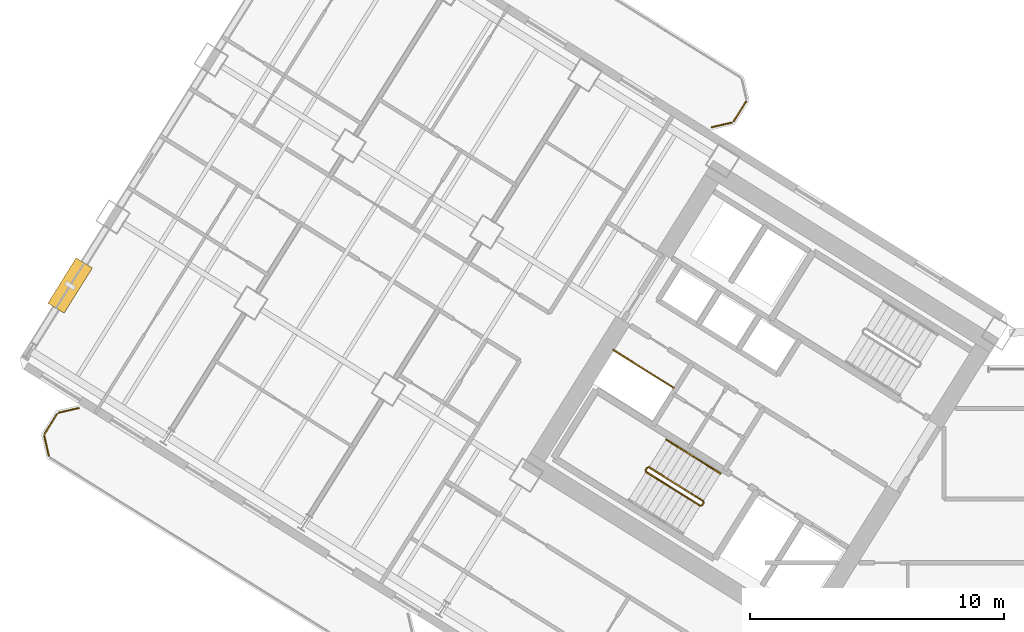
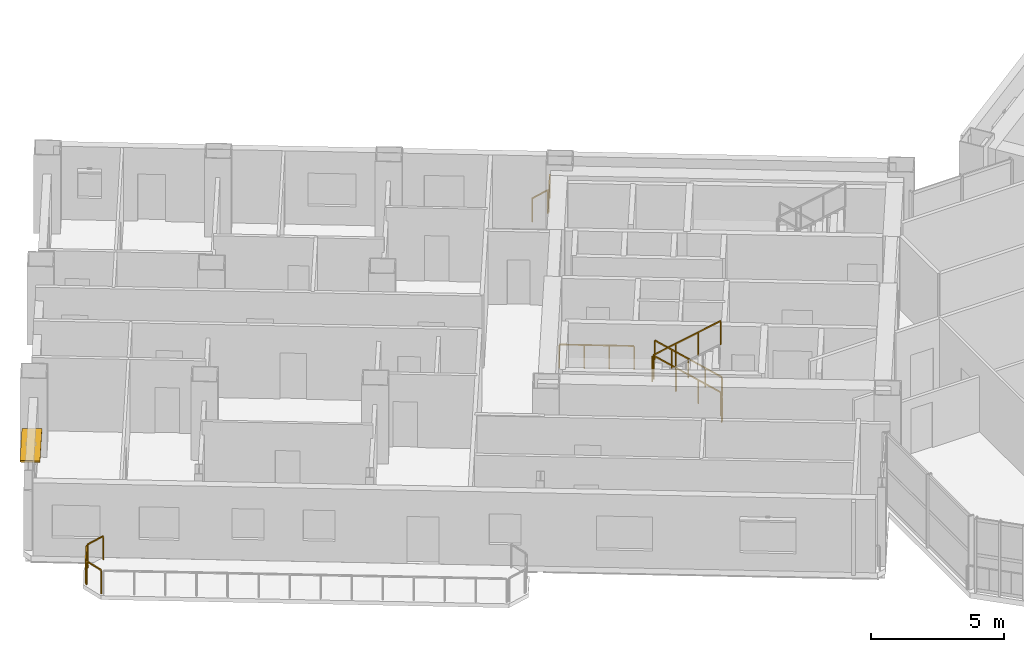
# One storey, part 23 of 25: 12 railings, 1 shading device.
"""IFC4 building model written with IfcOpenShell, lengths in metres."""

from ifc_helpers import new_model, si_unit, direction, frame, origin, origin_2d, place, context, subcontext, project, spatial, rectangle, extrude, source, transform, mapped, material, layer, layer_set, type_object, element, save


model = new_model("IFC4")

# Units and contexts
model_context = context("Model", 3, precision=1e-05, world=origin(), true_north=direction((0.0, 1.0)))
body_context = subcontext(model_context, "Body", "Model", "MODEL_VIEW")
ifc_project = project(units=[si_unit("LENGTHUNIT", "METRE"), si_unit("AREAUNIT", "SQUARE_METRE"), si_unit("VOLUMEUNIT", "CUBIC_METRE"), si_unit("PLANEANGLEUNIT", "RADIAN"), si_unit("MASSUNIT", "GRAM", prefix="KILO")], contexts=[model_context])

# Site, building, storey
site_placement = place(None, origin())
site = spatial("IfcSite", under=ifc_project, at=site_placement, CompositionType="ELEMENT")
building_placement = place(site_placement, origin())
building = spatial("IfcBuilding", under=site, at=building_placement, Name="Tlacorven Tower", CompositionType="ELEMENT")
storey_placement = place(building_placement, frame((0.0, 0.0, 52.800048828125)))
storey = spatial("IfcBuildingStorey", under=building, at=storey_placement, Name="L13", CompositionType="ELEMENT", Elevation=52.800048828125)

# Railings
ifc_material_1 = material(Name="Aluminium and painted steel balustrade", Category="steel")
railing_type_1 = type_object("IfcRailingType", Name="RL-GRD-1100", PredefinedType="GUARDRAIL", material=ifc_material_1)
shared_shape_1 = source(origin(), body_context, "Body", "SweptSolid", [
    extrude(rectangle(XDim=0.048095703125, YDim=0.048095703125, at=origin_2d()), frame((0.0, 0.0, 1.076171875), z_axis=(-0.848091358275, 0.529850024081, 0.0), x_axis=(-0.529850024081, -0.848091358275, 0.0)), (0.0, 0.0, 1.0), 2.800048828125),
    extrude(rectangle(XDim=0.0419921875, YDim=0.0419921875, at=origin_2d()), origin(), (0.0, 0.0, 1.0), 1.052001953125),
    extrude(rectangle(XDim=0.0419921875, YDim=0.0419921875, at=origin_2d()), frame((-0.79150390625, 0.49462890625, 0.0)), (0.0, 0.0, 1.0), 1.052001953125),
    extrude(rectangle(XDim=0.0419921875, YDim=0.0419921875, at=origin_2d()), frame((-1.583251953125, 0.989013671875, 0.0)), (0.0, 0.0, 1.0), 1.052001953125),
    extrude(rectangle(XDim=0.0419921875, YDim=0.0419921875, at=origin_2d()), frame((-2.374755859375, 1.483642578125, 0.0)), (0.0, 0.0, 1.0), 1.052001953125),
])
railing_1_placement = place(storey_placement, frame((27.9912109375, 22.32080078125, 0.0)))
element("IfcRailing", 1, at=railing_1_placement, inside=storey, type_object=railing_type_1, Name="L13 Electrical Riser W Shaft Guard 1", PredefinedType="GUARDRAIL", context=body_context, shape_type="MappedRepresentation", body=[
    mapped(shared_shape_1, transform((0.0, 0.0, 0.0), scale=1.0)),
])
railing_type_2 = type_object("IfcRailingType", Name="RL-BAL-1100", PredefinedType="BALUSTRADE", material=ifc_material_1)
shared_shape_2 = source(origin(), body_context, "Body", "SweptSolid", [
    extrude(rectangle(XDim=0.048095703125, YDim=0.048095703125, at=origin_2d()), frame((0.0, 0.0, 1.076171875), z_axis=(-0.52987865805, -0.848073468364, 0.0), x_axis=(0.848073468364, -0.52987865805, 0.0)), (0.0, 0.0, 1.0), 0.912353515625),
    extrude(rectangle(XDim=0.0419921875, YDim=0.0419921875, at=origin_2d()), origin(), (0.0, 0.0, 1.0), 1.052001953125),
    extrude(rectangle(XDim=0.0419921875, YDim=0.0419921875, at=origin_2d()), frame((-0.4833984375, -0.773681640625, 0.0)), (0.0, 0.0, 1.0), 1.052001953125),
])
railing_2_placement = place(storey_placement, frame((30.845947265625, 33.588623046875, 0.0)))
element("IfcRailing", 2, at=railing_2_placement, inside=storey, type_object=railing_type_2, Name="BAL-L13-W-IN Guard Railing 2", PredefinedType="BALUSTRADE", context=body_context, shape_type="MappedRepresentation", body=[
    mapped(shared_shape_2, transform((0.0, 0.0, 0.0), scale=1.0)),
])
shared_shape_3 = source(origin(), body_context, "Body", "SweptSolid", [
    extrude(rectangle(XDim=0.048095703125, YDim=0.048095703125, at=origin_2d()), frame((0.0, 0.0, 1.076171875), z_axis=(-0.225058334816, 0.974345290916, 0.0), x_axis=(-0.974345290916, -0.225058334816, 0.0)), (0.0, 0.0, 1.0), 0.80712890625),
    extrude(rectangle(XDim=0.0419921875, YDim=0.0419921875, at=origin_2d()), origin(), (0.0, 0.0, 1.0), 1.052001953125),
    extrude(rectangle(XDim=0.0419921875, YDim=0.0419921875, at=origin_2d()), frame((-0.181640625, 0.786376953125, 0.0)), (0.0, 0.0, 1.0), 1.052001953125),
])
railing_3_placement = place(storey_placement, frame((3.380859375, 19.62841796875, 0.0)))
element("IfcRailing", 3, at=railing_3_placement, inside=storey, type_object=railing_type_2, Name="BAL-L13-W-OUT Guard Railing 5", PredefinedType="BALUSTRADE", context=body_context, shape_type="MappedRepresentation", body=[
    mapped(shared_shape_3, transform((0.0, 0.0, 0.0), scale=1.0)),
])
shared_shape_4 = source(origin(), body_context, "Body", "SweptSolid", [
    extrude(rectangle(XDim=0.048095703125, YDim=0.048095703125, at=origin_2d()), frame((0.0, 0.0, 1.076171875), z_axis=(0.52987865805, 0.848073468364, 0.0), x_axis=(-0.848073468364, 0.52987865805, 0.0)), (0.0, 0.0, 1.0), 0.912353515625),
    extrude(rectangle(XDim=0.0419921875, YDim=0.0419921875, at=origin_2d()), origin(), (0.0, 0.0, 1.0), 1.052001953125),
    extrude(rectangle(XDim=0.0419921875, YDim=0.0419921875, at=origin_2d()), frame((0.4833984375, 0.773681640625, 0.0)), (0.0, 0.0, 1.0), 1.052001953125),
])
railing_4_placement = place(storey_placement, frame((3.214599609375, 20.505859375, 0.0)))
element("IfcRailing", 4, at=railing_4_placement, inside=storey, type_object=railing_type_2, Name="BAL-L13-W-OUT Guard Railing 6", PredefinedType="BALUSTRADE", context=body_context, shape_type="MappedRepresentation", body=[
    mapped(shared_shape_4, transform((0.0, 0.0, 0.0), scale=1.0)),
])
shared_shape_5 = source(origin(), body_context, "Body", "SweptSolid", [
    extrude(rectangle(XDim=0.048095703125, YDim=0.048095703125, at=origin_2d()), frame((0.0, 0.0, 1.076171875), z_axis=(0.974345290916, 0.225058334816, 0.0), x_axis=(-0.225058334816, 0.974345290916, 0.0)), (0.0, 0.0, 1.0), 0.80712890625),
    extrude(rectangle(XDim=0.0419921875, YDim=0.0419921875, at=origin_2d()), origin(), (0.0, 0.0, 1.0), 1.052001953125),
    extrude(rectangle(XDim=0.0419921875, YDim=0.0419921875, at=origin_2d()), frame((0.786376953125, 0.181640625, 0.0)), (0.0, 0.0, 1.0), 1.052001953125),
])
railing_5_placement = place(storey_placement, frame((3.773193359375, 21.3330078125, 0.0)))
element("IfcRailing", 5, at=railing_5_placement, inside=storey, type_object=railing_type_2, Name="BAL-L13-W-OUT Guard Railing 7", PredefinedType="BALUSTRADE", context=body_context, shape_type="MappedRepresentation", body=[
    mapped(shared_shape_5, transform((0.0, 0.0, 0.0), scale=1.0)),
])
shared_shape_6 = source(origin(), body_context, "Body", "SweptSolid", [
    extrude(rectangle(XDim=0.048095703125, YDim=0.048095703125, at=origin_2d()), frame((0.0, 0.0, 1.076171875), z_axis=(-0.974345290916, -0.225058334816, 0.0), x_axis=(0.225058334816, -0.974345290916, 0.0)), (0.0, 0.0, 1.0), 0.80712890625),
    extrude(rectangle(XDim=0.0419921875, YDim=0.0419921875, at=origin_2d()), origin(), (0.0, 0.0, 1.0), 1.052001953125),
    extrude(rectangle(XDim=0.0419921875, YDim=0.0419921875, at=origin_2d()), frame((-0.786376953125, -0.181640625, 0.0)), (0.0, 0.0, 1.0), 1.052001953125),
])
railing_6_placement = place(storey_placement, frame((30.287353515625, 32.761474609375, 0.0)))
element("IfcRailing", 6, at=railing_6_placement, inside=storey, type_object=railing_type_2, Name="BAL-L13-W-IN Guard Railing 3", PredefinedType="BALUSTRADE", context=body_context, shape_type="MappedRepresentation", body=[
    mapped(shared_shape_6, transform((0.0, 0.0, 0.0), scale=1.0)),
])

# Shading device
ifc_material_2 = material(Name="Anodised bronze aluminium sunshade", Category="aluminium")
ifc_layer = layer(ifc_material_2, 0.080078125)
ifc_layer_set = layer_set([ifc_layer], Name="Anodised bronze aluminium sunshade")
shading_device_type = type_object("IfcShadingDeviceType", Name="SH-SUN-BRZ", PredefinedType="AWNING", material=ifc_layer_set)
shared_shape_7 = source(origin(), body_context, "Body", "SweptSolid", [
    extrude(rectangle(XDim=2.10009765625, YDim=0.75, at=origin_2d()), origin(), (0.0, 0.0, 1.0), 0.080078125),
])
shading_device_placement = place(storey_placement, frame((4.219482421875, 26.341064453125, 2.369873046875), z_axis=(0.0, 0.0, 1.0), x_axis=(0.529918940959, 0.84804829816, 0.0)))
element("IfcShadingDevice", 7, at=shading_device_placement, inside=storey, type_object=shading_device_type, Name="L13 Solar Brise-Soleil Sunshade L13-02.1", PredefinedType="AWNING", context=body_context, shape_type="MappedRepresentation", body=[
    mapped(shared_shape_7, transform((0.0, 0.0, 0.0), scale=1.0)),
])

# Railings
shared_shape_8 = source(origin(), body_context, "Body", "SweptSolid", [
    extrude(rectangle(XDim=0.048095703125, YDim=0.048095703125, at=origin_2d()), frame((0.0, 0.0, 1.076171875), z_axis=(-0.529084052582, -0.848569422795, 0.0), x_axis=(0.848569422795, -0.529084052582, 0.0)), (0.0, 0.0, 1.0), 0.119873046875),
    extrude(rectangle(XDim=0.0419921875, YDim=0.0419921875, at=origin_2d()), origin(), (0.0, 0.0, 1.0), 1.052001953125),
    extrude(rectangle(XDim=0.0419921875, YDim=0.0419921875, at=origin_2d()), frame((-0.0634765625, -0.101806640625, 0.0)), (0.0, 0.0, 1.0), 1.052001953125),
])
railing_7_placement = place(storey_placement, frame((29.176513671875, 17.782958984375, 0.0)))
element("IfcRailing", 8, at=railing_7_placement, inside=storey, type_object=railing_type_1, Name="L13 ST-W1 stair guard 4", PredefinedType="GUARDRAIL", context=body_context, shape_type="MappedRepresentation", body=[
    mapped(shared_shape_8, transform((0.0, 0.0, 0.0), scale=1.0)),
])
shared_shape_9 = source(origin(), body_context, "Body", "SweptSolid", [
    extrude(rectangle(XDim=0.048095703125, YDim=0.048095703125, at=origin_2d()), frame((0.0, 0.0, 1.076171875), z_axis=(-0.713319727316, 0.445773895627, 0.540796265334), x_axis=(-0.529955395941, -0.84802551749, 0.0)), (0.0, 0.0, 1.0), 2.995849609375),
    extrude(rectangle(XDim=0.0419921875, YDim=0.0419921875, at=origin_2d()), origin(), (0.0, 0.0, 1.0), 1.052001953125),
    extrude(rectangle(XDim=0.0419921875, YDim=0.0419921875, at=origin_2d()), frame((-0.71240234375, 0.445068359375, 0.5400390625)), (0.0, 0.0, 1.0), 1.052001953125),
    extrude(rectangle(XDim=0.0419921875, YDim=0.0419921875, at=origin_2d()), frame((-1.424560546875, 0.890380859375, 1.080078125)), (0.0, 0.0, 1.0), 1.052001953125),
    extrude(rectangle(XDim=0.0419921875, YDim=0.0419921875, at=origin_2d()), frame((-2.136962890625, 1.33544921875, 1.6201171875)), (0.0, 0.0, 1.0), 1.052001953125),
])
railing_8_placement = place(storey_placement, frame((29.16064453125, 17.851806640625, 0.179931640625)))
element("IfcRailing", 9, at=railing_8_placement, inside=storey, type_object=railing_type_1, Name="L13 ST-W1 stair guard 1", PredefinedType="GUARDRAIL", context=body_context, shape_type="MappedRepresentation", body=[
    mapped(shared_shape_9, transform((0.0, 0.0, 0.0), scale=1.0)),
])
shared_shape_10 = source(origin(), body_context, "Body", "SweptSolid", [
    extrude(rectangle(XDim=0.048095703125, YDim=0.048095703125, at=origin_2d()), frame((0.0, 0.0, 1.076171875), z_axis=(-0.530546985787, -0.847655529016, 0.0), x_axis=(0.847655529016, -0.530546985787, 0.0)), (0.0, 0.0, 1.0), 0.1201171875),
    extrude(rectangle(XDim=0.0419921875, YDim=0.0419921875, at=origin_2d()), origin(), (0.0, 0.0, 1.0), 1.052001953125),
    extrude(rectangle(XDim=0.0419921875, YDim=0.0419921875, at=origin_2d()), frame((-0.063720703125, -0.101806640625, 0.0)), (0.0, 0.0, 1.0), 1.052001953125),
])
railing_9_placement = place(storey_placement, frame((26.954833984375, 19.17138671875, 1.800048828125)))
element("IfcRailing", 10, at=railing_9_placement, inside=storey, type_object=railing_type_1, Name="L13 ST-W1 stair guard 2", PredefinedType="GUARDRAIL", context=body_context, shape_type="MappedRepresentation", body=[
    mapped(shared_shape_10, transform((0.0, 0.0, 0.0), scale=1.0)),
])
railing_type_3 = type_object("IfcRailingType", Name="RL-HND-0900", PredefinedType="HANDRAIL", material=ifc_material_1)
shared_shape_11 = source(origin(), body_context, "Body", "SweptSolid", [
    extrude(rectangle(XDim=0.048095703125, YDim=0.048095703125, at=origin_2d()), frame((0.0, 0.0, 0.8759765625), z_axis=(-0.713359751793, 0.4457479829, 0.540764828981), x_axis=(-0.529911857636, -0.848052724267, 0.0)), (0.0, 0.0, 1.0), 1.498046875),
    extrude(rectangle(XDim=0.0419921875, YDim=0.0419921875, at=origin_2d()), origin(), (0.0, 0.0, 1.0), 0.851806640625),
    extrude(rectangle(XDim=0.0419921875, YDim=0.0419921875, at=origin_2d()), frame((-0.5341796875, 0.333984375, 0.405029296875)), (0.0, 0.0, 1.0), 0.851806640625),
    extrude(rectangle(XDim=0.0419921875, YDim=0.0419921875, at=origin_2d()), frame((-1.068603515625, 0.667724609375, 0.81005859375)), (0.0, 0.0, 1.0), 0.851806640625),
])
for number, where, name in (
    (11, (29.839111328125, 18.937255859375, 0.179931640625), "L13 ST-W1 stair handrail 1"),
    (12, (28.7705078125, 19.60498046875, 0.989990234375), "L13 ST-W1 stair handrail 2"),
):
    element("IfcRailing", number, at=place(storey_placement, frame(where)), inside=storey, type_object=railing_type_3, Name=name, PredefinedType="HANDRAIL", context=body_context, shape_type="MappedRepresentation", body=[
        mapped(shared_shape_11, transform((0.0, 0.0, 0.0), scale=1.0)),
    ])
shared_shape_12 = source(origin(), body_context, "Body", "SweptSolid", [
    extrude(rectangle(XDim=0.048095703125, YDim=0.048095703125, at=origin_2d()), frame((0.0, 0.0, 1.076171875), z_axis=(0.71339118691, -0.44576762536, 0.540707165313), x_axis=(0.529911857636, 0.848052724267, 0.0)), (0.0, 0.0, 1.0), 2.995849609375),
    extrude(rectangle(XDim=0.0419921875, YDim=0.0419921875, at=origin_2d()), origin(), (0.0, 0.0, 1.0), 1.052001953125),
    extrude(rectangle(XDim=0.0419921875, YDim=0.0419921875, at=origin_2d()), frame((0.71240234375, -0.445068359375, 0.5400390625)), (0.0, 0.0, 1.0), 1.052001953125),
    extrude(rectangle(XDim=0.0419921875, YDim=0.0419921875, at=origin_2d()), frame((1.4248046875, -0.890380859375, 1.079833984375)), (0.0, 0.0, 1.0), 1.052001953125),
    extrude(rectangle(XDim=0.0419921875, YDim=0.0419921875, at=origin_2d()), frame((2.13720703125, -1.33544921875, 1.619873046875)), (0.0, 0.0, 1.0), 1.052001953125),
])
railing_10_placement = place(storey_placement, frame((26.906982421875, 19.000732421875, 1.97998046875)))
element("IfcRailing", 13, at=railing_10_placement, inside=storey, type_object=railing_type_1, Name="L13 ST-W1 stair guard 3", PredefinedType="GUARDRAIL", context=body_context, shape_type="MappedRepresentation", body=[
    mapped(shared_shape_12, transform((0.0, 0.0, 0.0), scale=1.0)),
])

save(model, "model.ifc")
